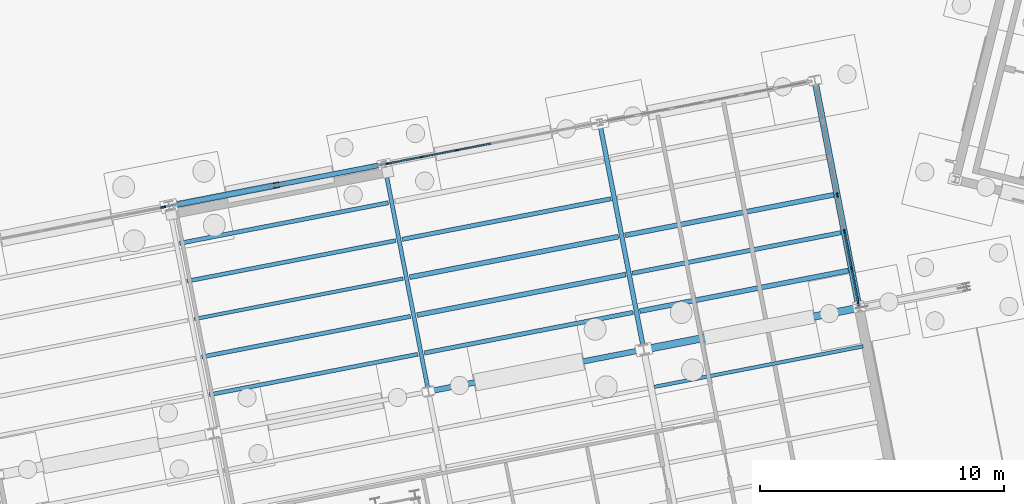
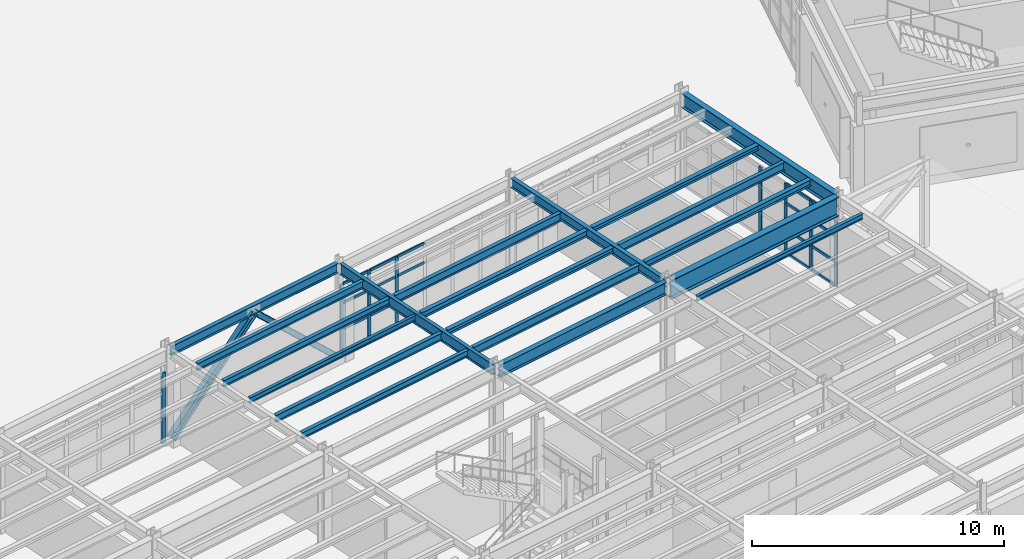
# One storey, part 37 of 108: 30 members, 19 beams, 3 elements without a shape of their own.
"""IFC4 building model written with IfcOpenShell, lengths in metres."""

from ifc_helpers import new_model, si_unit, direction, frame, origin, origin_2d, place, context, subcontext, project, spatial, rectangle, i_section, extrude, material, layer, layer_set, material_profile, profile_set, type_object, element, aggregate, save


model = new_model("IFC4")

# Units and contexts
model_context = context("Model", 3, precision=1e-05, world=origin(), true_north=direction((0.0, 1.0)))
body_context = subcontext(model_context, "Body", "Model", "MODEL_VIEW")
ifc_project = project(units=[si_unit("LENGTHUNIT", "METRE"), si_unit("AREAUNIT", "SQUARE_METRE"), si_unit("VOLUMEUNIT", "CUBIC_METRE"), si_unit("PLANEANGLEUNIT", "RADIAN"), si_unit("MASSUNIT", "GRAM", prefix="KILO")], contexts=[model_context])

# Site, building, storey
site_placement = place(None, origin())
site = spatial("IfcSite", under=ifc_project, at=site_placement, CompositionType="ELEMENT")
building_placement = place(site_placement, origin())
building = spatial("IfcBuilding", under=site, at=building_placement, Name="Vireo Bluff Cable Station", CompositionType="ELEMENT")
storey_placement = place(building_placement, origin())
storey = spatial("IfcBuildingStorey", under=building, at=storey_placement, Name="L00", CompositionType="ELEMENT", Elevation=0.0)

# Beam
ifc_material_1 = material(Name="Steel ASTM A992 Gr. 50", Category="steel")
ifc_material_profile_1 = material_profile(ifc_material_1, i_section(OverallWidth=0.166015625, OverallDepth=0.528076171875, WebThickness=0.009765625, FlangeThickness=0.013671875, FilletRadius=0.012939453125, at=origin_2d()), Name="W21X50")
ifc_profile_set_1 = profile_set([ifc_material_profile_1], Name="Steel ASTM A992 Gr. 50")
beam_type_1 = type_object("IfcBeamType", Name="BM-W21X50", PredefinedType="BEAM", material=ifc_profile_set_1)
beam_1_placement = place(storey_placement, frame((32.355712890625, 29.420654296875, 4.27587890625), z_axis=(-0.190804735679, 0.981628011439, 0.0), x_axis=(-0.981628011439, -0.190804735679, 0.0)))
element("IfcBeam", 1, at=beam_1_placement, inside=storey, type_object=beam_type_1, Name="V5 L00 beam 1117", PredefinedType="BEAM", context=body_context, shape_type="SweptSolid", body=[
    extrude(i_section(OverallWidth=0.166015625, OverallDepth=0.528076171875, WebThickness=0.009765625, FlangeThickness=0.013671875, FilletRadius=0.012939453125, at=origin_2d()), origin(), (0.0, 0.0, 1.0), 9.260009765625),
])

# Members
ifc_material_profile_2 = material_profile(ifc_material_1, i_section(OverallWidth=0.2041015625, OverallDepth=0.257080078125, WebThickness=0.0087890625, FlangeThickness=0.015625, FilletRadius=0.009033203125, at=origin_2d()), Name="W10X45")
ifc_profile_set_2 = profile_set([ifc_material_profile_2], Name="Steel ASTM A992 Gr. 50")
member_type_1 = type_object("IfcMemberType", Name="BRC-01", PredefinedType="BRACE", material=ifc_profile_set_2)
member_1_placement = place(storey_placement, frame((30.408935546875, 38.59765625, 0.0400390625), z_axis=(-0.710316412908, -0.138066200939, 0.690208894257), x_axis=(0.190801907041, -0.981628561254, 0.0)))
element("IfcMember", 2, at=member_1_placement, inside=storey, type_object=member_type_1, Name="V5 L00 concentric brace 90R", PredefinedType="BRACE", context=body_context, shape_type="SweptSolid", body=[
    extrude(i_section(OverallWidth=0.2041015625, OverallDepth=0.257080078125, WebThickness=0.0087890625, FlangeThickness=0.015625, FilletRadius=0.009033203125, at=origin_2d()), origin(), (0.0, 0.0, 1.0), 5.998046875),
])
ifc_material_profile_3 = material_profile(ifc_material_1, i_section(OverallWidth=0.25390625, OverallDepth=0.35302734375, WebThickness=0.009521484375, FlangeThickness=0.016357421875, FilletRadius=0.011962890625, at=origin_2d()), Name="W14X61")
ifc_profile_set_3 = profile_set([ifc_material_profile_3], Name="Steel ASTM A992 Gr. 50")
member_type_2 = type_object("IfcMemberType", Name="BRC-06", PredefinedType="BRACE", material=ifc_profile_set_3)
member_2_placement = place(storey_placement, frame((21.88818359375, 36.94140625, 0.0400390625), z_axis=(0.710296245471, 0.138070192816, 0.690228850111), x_axis=(-0.190812443151, 0.981626513262, 0.0)))
element("IfcMember", 3, at=member_2_placement, inside=storey, type_object=member_type_2, Name="V5 L00 concentric brace 89L", PredefinedType="BRACE", context=body_context, shape_type="SweptSolid", body=[
    extrude(i_section(OverallWidth=0.25390625, OverallDepth=0.35302734375, WebThickness=0.009521484375, FlangeThickness=0.016357421875, FilletRadius=0.011962890625, at=origin_2d()), origin(), (0.0, 0.0, 1.0), 5.997802734375),
])

# Curtain wall, members
ifc_material_2 = material(Name="Anodized Aluminium 6063-T6", Category="aluminium")
ifc_layer_1 = layer(ifc_material_2, 0.179931640625, Name="Anodized Aluminium 6063-T6")
ifc_layer_set_1 = layer_set([ifc_layer_1], Name="Anodized Aluminium 6063-T6")
curtain_wall_type_1 = type_object("IfcCurtainWallType", Name="CW-UNIT-1650", PredefinedType="USERDEFINED", material=ifc_layer_set_1)
curtain_wall_1_placement = place(storey_placement, origin())
curtain_wall_1 = element("IfcCurtainWall", 4, at=curtain_wall_1_placement, inside=storey, type_object=curtain_wall_type_1, Name="V5 L00 east curtain wall CW-116", ObjectType="UNITISED CURTAIN WALL", PredefinedType="USERDEFINED")
ifc_material_profile_4 = material_profile(ifc_material_2, rectangle(XDim=0.06494140625, YDim=0.179931640625, at=origin_2d()), Name="ALU-M-65X180")
ifc_profile_set_4 = profile_set([ifc_material_profile_4], Name="Anodized Aluminium 6063-T6")
member_type_3 = type_object("IfcMemberType", Name="CWM-01", PredefinedType="MULLION", material=ifc_profile_set_4)
member_3_placement = place(storey_placement, frame((49.148193359375, 37.365234375, 0.0), z_axis=(0.0, 0.0, 1.0), x_axis=(0.981627180714, 0.190809009442, 0.0)))
member_3 = element("IfcMember", 5, at=member_3_placement, type_object=member_type_3, Name="CW-116 mullion 4", PredefinedType="MULLION", context=body_context, shape_type="SweptSolid", body=[
    extrude(rectangle(XDim=0.06494140625, YDim=0.179931640625, at=origin_2d()), origin(), (0.0, 0.0, 1.0), 3.39990234375),
])
member_4_placement = place(storey_placement, frame((49.43994140625, 35.865234375, 0.0), z_axis=(0.0, 0.0, 1.0), x_axis=(0.981627180714, 0.190809009442, 0.0)))
member_4 = element("IfcMember", 6, at=member_4_placement, type_object=member_type_3, Name="CW-116 mullion 5", PredefinedType="MULLION", context=body_context, shape_type="SweptSolid", body=[
    extrude(rectangle(XDim=0.06494140625, YDim=0.179931640625, at=origin_2d()), origin(), (0.0, 0.0, 1.0), 3.39990234375),
])
member_5_placement = place(storey_placement, frame((49.7314453125, 34.365234375, 0.0), z_axis=(0.0, 0.0, 1.0), x_axis=(0.981627180714, 0.190809009442, 0.0)))
member_5 = element("IfcMember", 7, at=member_5_placement, type_object=member_type_3, Name="CW-116 mullion 6", PredefinedType="MULLION", context=body_context, shape_type="SweptSolid", body=[
    extrude(rectangle(XDim=0.06494140625, YDim=0.179931640625, at=origin_2d()), origin(), (0.0, 0.0, 1.0), 3.39990234375),
])
member_6_placement = place(storey_placement, frame((50.016845703125, 32.897216796875, 0.0), z_axis=(0.0, 0.0, 1.0), x_axis=(0.981627180714, 0.190809009442, 0.0)))
member_6 = element("IfcMember", 8, at=member_6_placement, type_object=member_type_3, Name="CW-116 mullion 7", PredefinedType="MULLION", context=body_context, shape_type="SweptSolid", body=[
    extrude(rectangle(XDim=0.06494140625, YDim=0.179931640625, at=origin_2d()), origin(), (0.0, 0.0, 1.0), 3.39990234375),
])

# Curtain wall, member
curtain_wall_2_placement = place(storey_placement, origin())
curtain_wall_2 = element("IfcCurtainWall", 9, at=curtain_wall_2_placement, inside=storey, type_object=curtain_wall_type_1, Name="V5 L00 north curtain wall CW-113", ObjectType="UNITISED CURTAIN WALL", PredefinedType="USERDEFINED")
ifc_material_profile_5 = material_profile(ifc_material_2, rectangle(XDim=0.074951171875, YDim=0.2099609375, at=origin_2d()), Name="ALU-M-75X210")
ifc_profile_set_5 = profile_set([ifc_material_profile_5], Name="Anodized Aluminium 6063-T6")
member_type_4 = type_object("IfcMemberType", Name="CWM-02", PredefinedType="MULLION", material=ifc_profile_set_5)
member_7_placement = place(storey_placement, frame((21.49560546875, 36.865234375, 0.0), z_axis=(0.0, 0.0, 1.0), x_axis=(-0.190808975057, 0.981627187397, 0.0)))
member_7 = element("IfcMember", 10, at=member_7_placement, type_object=member_type_4, Name="CW-113 mullion 6", PredefinedType="MULLION", context=body_context, shape_type="SweptSolid", body=[
    extrude(rectangle(XDim=0.074951171875, YDim=0.2099609375, at=origin_2d()), origin(), (0.0, 0.0, 1.0), 3.39990234375),
])
aggregate(curtain_wall_2, [member_7])

# Curtain wall, members
ifc_layer_2 = layer(ifc_material_2, 0.179931640625, Name="Anodized Aluminium 6063-T6")
ifc_layer_set_2 = layer_set([ifc_layer_2], Name="Anodized Aluminium 6063-T6")
curtain_wall_type_2 = type_object("IfcCurtainWallType", Name="CW-UNIT-1400", PredefinedType="USERDEFINED", material=ifc_layer_set_2)
curtain_wall_3_placement = place(storey_placement, origin())
curtain_wall_3 = element("IfcCurtainWall", 11, at=curtain_wall_3_placement, inside=storey, type_object=curtain_wall_type_2, Name="V5 L00 north curtain wall CW-114", ObjectType="UNITISED CURTAIN WALL", PredefinedType="USERDEFINED")
ifc_material_profile_6 = material_profile(ifc_material_2, rectangle(XDim=0.06005859375, YDim=0.159912109375, at=origin_2d()), Name="ALU-M-60X160")
ifc_profile_set_6 = profile_set([ifc_material_profile_6], Name="Anodized Aluminium 6063-T6")
member_type_5 = type_object("IfcMemberType", Name="CWM-03", PredefinedType="MULLION", material=ifc_profile_set_6)
member_8_placement = place(storey_placement, frame((30.697509765625, 38.65380859375, 0.0), z_axis=(0.0, 0.0, 1.0), x_axis=(-0.190808969643, 0.98162718845, 0.0)))
member_8 = element("IfcMember", 12, at=member_8_placement, type_object=member_type_5, Name="CW-114 mullion 1", PredefinedType="MULLION", context=body_context, shape_type="SweptSolid", body=[
    extrude(rectangle(XDim=0.06005859375, YDim=0.159912109375, at=origin_2d()), origin(), (0.0, 0.0, 1.0), 3.39990234375),
])
member_9_placement = place(storey_placement, frame((32.10205078125, 38.9267578125, 0.0), z_axis=(0.0, 0.0, 1.0), x_axis=(-0.190808969643, 0.98162718845, 0.0)))
member_9 = element("IfcMember", 13, at=member_9_placement, type_object=member_type_5, Name="CW-114 mullion 2", PredefinedType="MULLION", context=body_context, shape_type="SweptSolid", body=[
    extrude(rectangle(XDim=0.06005859375, YDim=0.159912109375, at=origin_2d()), origin(), (0.0, 0.0, 1.0), 3.39990234375),
])
member_10_placement = place(storey_placement, frame((33.5361328125, 39.20556640625, 0.0), z_axis=(0.0, 0.0, 1.0), x_axis=(-0.190808969643, 0.98162718845, 0.0)))
member_10 = element("IfcMember", 14, at=member_10_placement, type_object=member_type_5, Name="CW-114 mullion 3", PredefinedType="MULLION", context=body_context, shape_type="SweptSolid", body=[
    extrude(rectangle(XDim=0.06005859375, YDim=0.159912109375, at=origin_2d()), origin(), (0.0, 0.0, 1.0), 3.39990234375),
])

# Member
ifc_material_profile_7 = material_profile(ifc_material_2, rectangle(XDim=0.06494140625, YDim=0.139892578125, at=origin_2d()), Name="ALU-T-65X140")
ifc_profile_set_7 = profile_set([ifc_material_profile_7], Name="Anodized Aluminium 6063-T6")
member_type_6 = type_object("IfcMemberType", Name="CWT-01", PredefinedType="USERDEFINED", material=ifc_profile_set_7)
member_11_placement = place(storey_placement, frame((49.446044921875, 35.833251953125, 0.032470703125), z_axis=(0.190753518283, -0.981637965475, 0.0), x_axis=(0.981637965475, 0.190753518283, 0.0)))
member_11 = element("IfcMember", 15, at=member_11_placement, type_object=member_type_6, Name="CW-116 transom 5.1", ObjectType="TRANSOM", PredefinedType="USERDEFINED", context=body_context, shape_type="SweptSolid", body=[
    extrude(rectangle(XDim=0.06494140625, YDim=0.139892578125, at=origin_2d()), origin(), (0.0, 0.0, 1.0), 1.462890625),
])

member_12_placement = place(storey_placement, frame((49.446044921875, 35.833251953125, 1.18994140625), z_axis=(0.190753518283, -0.981637965475, 0.0), x_axis=(0.981637965475, 0.190753518283, 0.0)))
member_12 = element("IfcMember", 16, at=member_12_placement, type_object=member_type_6, Name="CW-116 transom 5.2", ObjectType="TRANSOM", PredefinedType="USERDEFINED", context=body_context, shape_type="SweptSolid", body=[
    extrude(rectangle(XDim=0.06494140625, YDim=0.139892578125, at=origin_2d()), origin(), (0.0, 0.0, 1.0), 1.462890625),
])

member_13_placement = place(storey_placement, frame((49.446044921875, 35.833251953125, 2.447998046875), z_axis=(0.190753518283, -0.981637965475, 0.0), x_axis=(0.981637965475, 0.190753518283, 0.0)))
member_13 = element("IfcMember", 17, at=member_13_placement, type_object=member_type_6, Name="CW-116 transom 5.3", ObjectType="TRANSOM", PredefinedType="USERDEFINED", context=body_context, shape_type="SweptSolid", body=[
    extrude(rectangle(XDim=0.06494140625, YDim=0.139892578125, at=origin_2d()), origin(), (0.0, 0.0, 1.0), 1.462890625),
])

member_14_placement = place(storey_placement, frame((49.446044921875, 35.833251953125, 3.367431640625), z_axis=(0.190753518283, -0.981637965475, 0.0), x_axis=(0.981637965475, 0.190753518283, 0.0)))
member_14 = element("IfcMember", 18, at=member_14_placement, type_object=member_type_6, Name="CW-116 transom 5.4", ObjectType="TRANSOM", PredefinedType="USERDEFINED", context=body_context, shape_type="SweptSolid", body=[
    extrude(rectangle(XDim=0.06494140625, YDim=0.139892578125, at=origin_2d()), origin(), (0.0, 0.0, 1.0), 1.462890625),
])

member_15_placement = place(storey_placement, frame((49.737548828125, 34.33349609375, 0.032470703125), z_axis=(0.190796573453, -0.981629597943, 0.0), x_axis=(0.981629597943, 0.190796573453, 0.0)))
member_15 = element("IfcMember", 19, at=member_15_placement, type_object=member_type_6, Name="CW-116 transom 6.1", ObjectType="TRANSOM", PredefinedType="USERDEFINED", context=body_context, shape_type="SweptSolid", body=[
    extrude(rectangle(XDim=0.06494140625, YDim=0.139892578125, at=origin_2d()), origin(), (0.0, 0.0, 1.0), 1.4306640625),
])

member_16_placement = place(storey_placement, frame((49.737548828125, 34.33349609375, 1.18994140625), z_axis=(0.190796573453, -0.981629597943, 0.0), x_axis=(0.981629597943, 0.190796573453, 0.0)))
member_16 = element("IfcMember", 20, at=member_16_placement, type_object=member_type_6, Name="CW-116 transom 6.2", ObjectType="TRANSOM", PredefinedType="USERDEFINED", context=body_context, shape_type="SweptSolid", body=[
    extrude(rectangle(XDim=0.06494140625, YDim=0.139892578125, at=origin_2d()), origin(), (0.0, 0.0, 1.0), 1.4306640625),
])

member_17_placement = place(storey_placement, frame((49.737548828125, 34.33349609375, 2.447998046875), z_axis=(0.190796573453, -0.981629597943, 0.0), x_axis=(0.981629597943, 0.190796573453, 0.0)))
member_17 = element("IfcMember", 21, at=member_17_placement, type_object=member_type_6, Name="CW-116 transom 6.3", ObjectType="TRANSOM", PredefinedType="USERDEFINED", context=body_context, shape_type="SweptSolid", body=[
    extrude(rectangle(XDim=0.06494140625, YDim=0.139892578125, at=origin_2d()), origin(), (0.0, 0.0, 1.0), 1.4306640625),
])

member_18_placement = place(storey_placement, frame((49.737548828125, 34.33349609375, 3.367431640625), z_axis=(0.190796573453, -0.981629597943, 0.0), x_axis=(0.981629597943, 0.190796573453, 0.0)))
member_18 = element("IfcMember", 22, at=member_18_placement, type_object=member_type_6, Name="CW-116 transom 6.4", ObjectType="TRANSOM", PredefinedType="USERDEFINED", context=body_context, shape_type="SweptSolid", body=[
    extrude(rectangle(XDim=0.06494140625, YDim=0.139892578125, at=origin_2d()), origin(), (0.0, 0.0, 1.0), 1.4306640625),
])

aggregate(curtain_wall_1, [member_3, member_4, member_5, member_6, member_11, member_12, member_13, member_14, member_15, member_16, member_17, member_18])

ifc_material_profile_8 = material_profile(ifc_material_2, rectangle(XDim=0.06005859375, YDim=0.1201171875, at=origin_2d()), Name="ALU-T-60X120")
ifc_profile_set_8 = profile_set([ifc_material_profile_8], Name="Anodized Aluminium 6063-T6")
member_type_7 = type_object("IfcMemberType", Name="CWT-03", PredefinedType="USERDEFINED", material=ifc_profile_set_8)
member_19_placement = place(storey_placement, frame((30.726806640625, 38.659423828125, 0.030029296875), z_axis=(0.98160797421, 0.190907791791, 0.0), x_axis=(-0.190907791791, 0.98160797421, 0.0)))
member_19 = element("IfcMember", 23, at=member_19_placement, type_object=member_type_7, Name="CW-114 transom 1.1", ObjectType="TRANSOM", PredefinedType="USERDEFINED", context=body_context, shape_type="SweptSolid", body=[
    extrude(rectangle(XDim=0.06005859375, YDim=0.1201171875, at=origin_2d()), origin(), (0.0, 0.0, 1.0), 1.370849609375),
])

member_20_placement = place(storey_placement, frame((30.726806640625, 38.659423828125, 1.18994140625), z_axis=(0.98160797421, 0.190907791791, 0.0), x_axis=(-0.190907791791, 0.98160797421, 0.0)))
member_20 = element("IfcMember", 24, at=member_20_placement, type_object=member_type_7, Name="CW-114 transom 1.2", ObjectType="TRANSOM", PredefinedType="USERDEFINED", context=body_context, shape_type="SweptSolid", body=[
    extrude(rectangle(XDim=0.06005859375, YDim=0.1201171875, at=origin_2d()), origin(), (0.0, 0.0, 1.0), 1.370849609375),
])

member_21_placement = place(storey_placement, frame((30.726806640625, 38.659423828125, 2.447998046875), z_axis=(0.98160797421, 0.190907791791, 0.0), x_axis=(-0.190907791791, 0.98160797421, 0.0)))
member_21 = element("IfcMember", 25, at=member_21_placement, type_object=member_type_7, Name="CW-114 transom 1.3", ObjectType="TRANSOM", PredefinedType="USERDEFINED", context=body_context, shape_type="SweptSolid", body=[
    extrude(rectangle(XDim=0.06005859375, YDim=0.1201171875, at=origin_2d()), origin(), (0.0, 0.0, 1.0), 1.370849609375),
])

member_22_placement = place(storey_placement, frame((30.726806640625, 38.659423828125, 3.3701171875), z_axis=(0.98160797421, 0.190907791791, 0.0), x_axis=(-0.190907791791, 0.98160797421, 0.0)))
member_22 = element("IfcMember", 26, at=member_22_placement, type_object=member_type_7, Name="CW-114 transom 1.4", ObjectType="TRANSOM", PredefinedType="USERDEFINED", context=body_context, shape_type="SweptSolid", body=[
    extrude(rectangle(XDim=0.06005859375, YDim=0.1201171875, at=origin_2d()), origin(), (0.0, 0.0, 1.0), 1.370849609375),
])

member_23_placement = place(storey_placement, frame((32.131591796875, 38.9326171875, 0.030029296875), z_axis=(0.981619017899, 0.190850998686, 0.0), x_axis=(-0.190850998686, 0.981619017899, 0.0)))
member_23 = element("IfcMember", 27, at=member_23_placement, type_object=member_type_7, Name="CW-114 transom 2.1", ObjectType="TRANSOM", PredefinedType="USERDEFINED", context=body_context, shape_type="SweptSolid", body=[
    extrude(rectangle(XDim=0.06005859375, YDim=0.1201171875, at=origin_2d()), origin(), (0.0, 0.0, 1.0), 1.400634765625),
])

member_24_placement = place(storey_placement, frame((32.131591796875, 38.9326171875, 1.18994140625), z_axis=(0.981619017899, 0.190850998686, 0.0), x_axis=(-0.190850998686, 0.981619017899, 0.0)))
member_24 = element("IfcMember", 28, at=member_24_placement, type_object=member_type_7, Name="CW-114 transom 2.2", ObjectType="TRANSOM", PredefinedType="USERDEFINED", context=body_context, shape_type="SweptSolid", body=[
    extrude(rectangle(XDim=0.06005859375, YDim=0.1201171875, at=origin_2d()), origin(), (0.0, 0.0, 1.0), 1.400634765625),
])

member_25_placement = place(storey_placement, frame((32.131591796875, 38.9326171875, 2.447998046875), z_axis=(0.981619017899, 0.190850998686, 0.0), x_axis=(-0.190850998686, 0.981619017899, 0.0)))
member_25 = element("IfcMember", 29, at=member_25_placement, type_object=member_type_7, Name="CW-114 transom 2.3", ObjectType="TRANSOM", PredefinedType="USERDEFINED", context=body_context, shape_type="SweptSolid", body=[
    extrude(rectangle(XDim=0.06005859375, YDim=0.1201171875, at=origin_2d()), origin(), (0.0, 0.0, 1.0), 1.400634765625),
])

member_26_placement = place(storey_placement, frame((32.131591796875, 38.9326171875, 3.3701171875), z_axis=(0.981619017899, 0.190850998686, 0.0), x_axis=(-0.190850998686, 0.981619017899, 0.0)))
member_26 = element("IfcMember", 30, at=member_26_placement, type_object=member_type_7, Name="CW-114 transom 2.4", ObjectType="TRANSOM", PredefinedType="USERDEFINED", context=body_context, shape_type="SweptSolid", body=[
    extrude(rectangle(XDim=0.06005859375, YDim=0.1201171875, at=origin_2d()), origin(), (0.0, 0.0, 1.0), 1.400634765625),
])

member_27_placement = place(storey_placement, frame((33.565673828125, 39.211181640625, 0.030029296875), z_axis=(0.981619017899, 0.190850998686, 0.0), x_axis=(-0.190850998686, 0.981619017899, 0.0)))
member_27 = element("IfcMember", 31, at=member_27_placement, type_object=member_type_7, Name="CW-114 transom 3.1", ObjectType="TRANSOM", PredefinedType="USERDEFINED", context=body_context, shape_type="SweptSolid", body=[
    extrude(rectangle(XDim=0.06005859375, YDim=0.1201171875, at=origin_2d()), origin(), (0.0, 0.0, 1.0), 1.400634765625),
])

member_28_placement = place(storey_placement, frame((33.565673828125, 39.211181640625, 1.18994140625), z_axis=(0.981619017899, 0.190850998686, 0.0), x_axis=(-0.190850998686, 0.981619017899, 0.0)))
member_28 = element("IfcMember", 32, at=member_28_placement, type_object=member_type_7, Name="CW-114 transom 3.2", ObjectType="TRANSOM", PredefinedType="USERDEFINED", context=body_context, shape_type="SweptSolid", body=[
    extrude(rectangle(XDim=0.06005859375, YDim=0.1201171875, at=origin_2d()), origin(), (0.0, 0.0, 1.0), 1.400634765625),
])

member_29_placement = place(storey_placement, frame((33.565673828125, 39.211181640625, 2.447998046875), z_axis=(0.981619017899, 0.190850998686, 0.0), x_axis=(-0.190850998686, 0.981619017899, 0.0)))
member_29 = element("IfcMember", 33, at=member_29_placement, type_object=member_type_7, Name="CW-114 transom 3.3", ObjectType="TRANSOM", PredefinedType="USERDEFINED", context=body_context, shape_type="SweptSolid", body=[
    extrude(rectangle(XDim=0.06005859375, YDim=0.1201171875, at=origin_2d()), origin(), (0.0, 0.0, 1.0), 1.400634765625),
])

member_30_placement = place(storey_placement, frame((33.565673828125, 39.211181640625, 3.3701171875), z_axis=(0.981619017899, 0.190850998686, 0.0), x_axis=(-0.190850998686, 0.981619017899, 0.0)))
member_30 = element("IfcMember", 34, at=member_30_placement, type_object=member_type_7, Name="CW-114 transom 3.4", ObjectType="TRANSOM", PredefinedType="USERDEFINED", context=body_context, shape_type="SweptSolid", body=[
    extrude(rectangle(XDim=0.06005859375, YDim=0.1201171875, at=origin_2d()), origin(), (0.0, 0.0, 1.0), 1.400634765625),
])

aggregate(curtain_wall_3, [member_8, member_9, member_10, member_19, member_20, member_21, member_22, member_23, member_24, member_25, member_26, member_27, member_28, member_29, member_30])

# Beams
ifc_material_profile_9 = material_profile(ifc_material_1, i_section(OverallWidth=0.22802734375, OverallDepth=0.60693359375, WebThickness=0.01123046875, FlangeThickness=0.017333984375, FilletRadius=0.012939453125, at=origin_2d()), Name="W24X76")
ifc_profile_set_9 = profile_set([ifc_material_profile_9], Name="Steel ASTM A992 Gr. 50")
beam_type_2 = type_object("IfcBeamType", Name="GIR-W24X76", PredefinedType="USERDEFINED", material=ifc_profile_set_9)
beam_2_placement = place(storey_placement, frame((32.496337890625, 29.32568359375, 4.236572265625), z_axis=(0.981629601573, 0.190796554777, 0.0), x_axis=(-0.190796554777, 0.981629601573, 0.0)))
element("IfcBeam", 35, at=beam_2_placement, inside=storey, type_object=beam_type_2, Name="V5 L00 girder 1101", ObjectType="GIRDER", PredefinedType="USERDEFINED", context=body_context, shape_type="SweptSolid", body=[
    extrude(i_section(OverallWidth=0.22802734375, OverallDepth=0.60693359375, WebThickness=0.01123046875, FlangeThickness=0.017333984375, FilletRadius=0.012939453125, at=origin_2d()), origin(), (0.0, 0.0, 1.0), 8.760009765625),
])
ifc_material_profile_10 = material_profile(ifc_material_1, i_section(OverallWidth=0.306884765625, OverallDepth=0.927001953125, WebThickness=0.019287109375, FlangeThickness=0.031982421875, FilletRadius=0.02001953125, at=origin_2d()), Name="W36X194")
ifc_profile_set_10 = profile_set([ifc_material_profile_10], Name="Steel ASTM A992 Gr. 50")
beam_type_3 = type_object("IfcBeamType", Name="GIR-W36X194", PredefinedType="USERDEFINED", material=ifc_profile_set_10)
beam_3_placement = place(storey_placement, frame((41.3310546875, 31.04296875, 4.076416015625), z_axis=(0.981629601573, 0.190796554777, 0.0), x_axis=(-0.190796554777, 0.981629601573, 0.0)))
element("IfcBeam", 36, at=beam_3_placement, inside=storey, type_object=beam_type_3, Name="V5 L00 girder 1175", ObjectType="GIRDER", PredefinedType="USERDEFINED", context=body_context, shape_type="SweptSolid", body=[
    extrude(i_section(OverallWidth=0.306884765625, OverallDepth=0.927001953125, WebThickness=0.019287109375, FlangeThickness=0.031982421875, FilletRadius=0.02001953125, at=origin_2d()), origin(), (0.0, 0.0, 1.0), 8.760009765625),
])
ifc_material_profile_11 = material_profile(ifc_material_1, i_section(OverallWidth=0.14599609375, OverallDepth=0.259033203125, WebThickness=0.006103515625, FlangeThickness=0.009033203125, FilletRadius=0.009033203125, at=origin_2d()), Name="W10X22")
ifc_profile_set_11 = profile_set([ifc_material_profile_11], Name="Steel ASTM A992 Gr. 50")
beam_type_4 = type_object("IfcBeamType", Name="JST-W10X22", PredefinedType="JOIST", material=ifc_profile_set_11)
for number, where, z_axis, x_axis, name in (
    (37, (22.77490234375, 32.27490234375, 4.410400390625), (0.981628064538, 0.190804462503, 0.0), (-0.190804462503, 0.981628064538, 0.0), "V5 L00 composite joist 1155"),
    (38, (41.65283203125, 29.492431640625, 4.410400390625), (0.981628064538, 0.190804462503, 0.0), (-0.190804462503, 0.981628064538, 0.0), "V5 L00 composite joist 1189"),
):
    element("IfcBeam", number, at=place(storey_placement, frame(where, z_axis=z_axis, x_axis=x_axis)), inside=storey, type_object=beam_type_4, Name=name, PredefinedType="JOIST", context=body_context, shape_type="SweptSolid", body=[
        extrude(i_section(OverallWidth=0.14599609375, OverallDepth=0.259033203125, WebThickness=0.006103515625, FlangeThickness=0.009033203125, FilletRadius=0.009033203125, at=origin_2d()), origin(), (0.0, 0.0, 1.0), 8.719970703125),
    ])
ifc_material_profile_12 = material_profile(ifc_material_1, i_section(OverallWidth=0.201904296875, OverallDepth=0.2470703125, WebThickness=0.00732421875, FlangeThickness=0.010986328125, FilletRadius=0.009033203125, at=origin_2d()), Name="W10X33")
ifc_profile_set_12 = profile_set([ifc_material_profile_12], Name="Steel ASTM A992 Gr. 50")
beam_type_5 = type_object("IfcBeamType", Name="JST-W10X33", PredefinedType="JOIST", material=ifc_profile_set_12)
beam_4_placement = place(storey_placement, frame((31.911865234375, 32.43798828125, 4.41650390625), z_axis=(0.981627045201, 0.19080970659, 0.0), x_axis=(-0.19080970659, 0.981627045201, 0.0)))
element("IfcBeam", 39, at=beam_4_placement, inside=storey, type_object=beam_type_5, Name="V5 L00 composite joist 1169", PredefinedType="JOIST", context=body_context, shape_type="SweptSolid", body=[
    extrude(i_section(OverallWidth=0.201904296875, OverallDepth=0.2470703125, WebThickness=0.00732421875, FlangeThickness=0.010986328125, FilletRadius=0.009033203125, at=origin_2d()), origin(), (0.0, 0.0, 1.0), 8.7197265625),
])
beam_5_placement = place(storey_placement, frame((40.4443359375, 35.70947265625, 4.41650390625), z_axis=(0.981628064538, 0.190804462503, 0.0), x_axis=(-0.190804462503, 0.981628064538, 0.0)))
element("IfcBeam", 40, at=beam_5_placement, inside=storey, type_object=beam_type_5, Name="V5 L00 composite joist 1192", PredefinedType="JOIST", context=body_context, shape_type="SweptSolid", body=[
    extrude(i_section(OverallWidth=0.201904296875, OverallDepth=0.2470703125, WebThickness=0.00732421875, FlangeThickness=0.010986328125, FilletRadius=0.009033203125, at=origin_2d()), origin(), (0.0, 0.0, 1.0), 8.719970703125),
])
ifc_material_profile_13 = material_profile(ifc_material_1, i_section(OverallWidth=0.1650390625, OverallDepth=0.31005859375, WebThickness=0.005859375, FlangeThickness=0.009765625, FilletRadius=0.010009765625, at=origin_2d()), Name="W12X26")
ifc_profile_set_13 = profile_set([ifc_material_profile_13], Name="Steel ASTM A992 Gr. 50")
beam_type_6 = type_object("IfcBeamType", Name="JST-W12X26", PredefinedType="JOIST", material=ifc_profile_set_13)
for number, where, z_axis, x_axis, name in (
    (41, (23.379150390625, 29.16650390625, 4.385009765625), (0.981628064538, 0.190804462503, 0.0), (-0.190804462503, 0.981628064538, 0.0), "V5 L00 composite joist 1153"),
    (42, (22.472900390625, 33.8291015625, 4.385009765625), (0.981628064538, 0.190804462503, 0.0), (-0.190804462503, 0.981628064538, 0.0), "V5 L00 composite joist 1156"),
):
    element("IfcBeam", number, at=place(storey_placement, frame(where, z_axis=z_axis, x_axis=x_axis)), inside=storey, type_object=beam_type_6, Name=name, PredefinedType="JOIST", context=body_context, shape_type="SweptSolid", body=[
        extrude(i_section(OverallWidth=0.1650390625, OverallDepth=0.31005859375, WebThickness=0.005859375, FlangeThickness=0.009765625, FilletRadius=0.010009765625, at=origin_2d()), origin(), (0.0, 0.0, 1.0), 8.719970703125),
    ])
ifc_material_profile_14 = material_profile(ifc_material_1, i_section(OverallWidth=0.202880859375, OverallDepth=0.302978515625, WebThickness=0.007568359375, FlangeThickness=0.01318359375, FilletRadius=0.010009765625, at=origin_2d()), Name="W12X40")
ifc_profile_set_14 = profile_set([ifc_material_profile_14], Name="Steel ASTM A992 Gr. 50")
beam_type_7 = type_object("IfcBeamType", Name="JST-W12X40", PredefinedType="JOIST", material=ifc_profile_set_14)
for number, where, z_axis, x_axis, name in (
    (43, (31.609619140625, 33.9921875, 4.388427734375), (0.981628064538, 0.190804462503, 0.0), (-0.190804462503, 0.981628064538, 0.0), "V5 L00 composite joist 1170"),
    (44, (41.048583984375, 32.60107421875, 4.388427734375), (0.981628064538, 0.190804462503, 0.0), (-0.190804462503, 0.981628064538, 0.0), "V5 L00 composite joist 1190"),
):
    element("IfcBeam", number, at=place(storey_placement, frame(where, z_axis=z_axis, x_axis=x_axis)), inside=storey, type_object=beam_type_7, Name=name, PredefinedType="JOIST", context=body_context, shape_type="SweptSolid", body=[
        extrude(i_section(OverallWidth=0.202880859375, OverallDepth=0.302978515625, WebThickness=0.007568359375, FlangeThickness=0.01318359375, FilletRadius=0.010009765625, at=origin_2d()), origin(), (0.0, 0.0, 1.0), 8.719970703125),
    ])
ifc_material_profile_15 = material_profile(ifc_material_1, i_section(OverallWidth=0.1708984375, OverallDepth=0.35107421875, WebThickness=0.0068359375, FlangeThickness=0.009765625, FilletRadius=0.010009765625, at=origin_2d()), Name="W14X30")
ifc_profile_set_15 = profile_set([ifc_material_profile_15], Name="Steel ASTM A992 Gr. 50")
beam_type_8 = type_object("IfcBeamType", Name="JST-W14X30", PredefinedType="JOIST", material=ifc_profile_set_15)
for number, where, z_axis, x_axis, name in (
    (45, (23.0771484375, 30.720703125, 4.364501953125), (0.981628064538, 0.190804462503, 0.0), (-0.190804462503, 0.981628064538, 0.0), "V5 L00 composite joist 1154"),
    (46, (22.170654296875, 35.38330078125, 4.364501953125), (0.98162282025, 0.190831440713, 0.0), (-0.190831440713, 0.98162282025, 0.0), "V5 L00 composite joist 1157"),
):
    element("IfcBeam", number, at=place(storey_placement, frame(where, z_axis=z_axis, x_axis=x_axis)), inside=storey, type_object=beam_type_8, Name=name, PredefinedType="JOIST", context=body_context, shape_type="SweptSolid", body=[
        extrude(i_section(OverallWidth=0.1708984375, OverallDepth=0.35107421875, WebThickness=0.0068359375, FlangeThickness=0.009765625, FilletRadius=0.010009765625, at=origin_2d()), origin(), (0.0, 0.0, 1.0), 8.719970703125),
    ])
ifc_material_profile_16 = material_profile(ifc_material_1, i_section(OverallWidth=0.177978515625, OverallDepth=0.404052734375, WebThickness=0.007568359375, FlangeThickness=0.010986328125, FilletRadius=0.010009765625, at=origin_2d()), Name="W16X36")
ifc_profile_set_16 = profile_set([ifc_material_profile_16], Name="Steel ASTM A992 Gr. 50")
beam_type_9 = type_object("IfcBeamType", Name="JST-W16X36", PredefinedType="JOIST", material=ifc_profile_set_16)
for number, where, z_axis, x_axis, name in (
    (47, (32.2138671875, 30.8837890625, 4.337890625), (0.981628064538, 0.190804462503, 0.0), (-0.190804462503, 0.981628064538, 0.0), "V5 L00 composite joist 1168"),
    (48, (31.3076171875, 35.54638671875, 4.337890625), (0.981628064538, 0.190804462503, 0.0), (-0.190804462503, 0.981628064538, 0.0), "V5 L00 composite joist 1171"),
    (49, (40.746337890625, 34.1552734375, 4.337890625), (0.981628064538, 0.190804462503, 0.0), (-0.190804462503, 0.981628064538, 0.0), "V5 L00 composite joist 1191"),
):
    element("IfcBeam", number, at=place(storey_placement, frame(where, z_axis=z_axis, x_axis=x_axis)), inside=storey, type_object=beam_type_9, Name=name, PredefinedType="JOIST", context=body_context, shape_type="SweptSolid", body=[
        extrude(i_section(OverallWidth=0.177978515625, OverallDepth=0.404052734375, WebThickness=0.007568359375, FlangeThickness=0.010986328125, FilletRadius=0.010009765625, at=origin_2d()), origin(), (0.0, 0.0, 1.0), 8.719970703125),
    ])
ifc_material_profile_17 = material_profile(ifc_material_1, i_section(OverallWidth=0.19091796875, OverallDepth=0.45703125, WebThickness=0.009033203125, FlangeThickness=0.014404296875, FilletRadius=0.011962890625, at=origin_2d()), Name="W18X50")
ifc_profile_set_17 = profile_set([ifc_material_profile_17], Name="Steel ASTM A992 Gr. 50")
beam_type_10 = type_object("IfcBeamType", Name="SPN-W18X50", PredefinedType="SPANDREL", material=ifc_profile_set_17)
beam_6_placement = place(storey_placement, frame((21.84912109375, 36.933837890625, 4.3115234375), z_axis=(0.981628586979, 0.190801774693, 0.0), x_axis=(-0.190801774693, 0.981628586979, 0.0)))
element("IfcBeam", 50, at=beam_6_placement, inside=storey, type_object=beam_type_10, Name="V5 L00 spandrel 1104", PredefinedType="SPANDREL", context=body_context, shape_type="SweptSolid", body=[
    extrude(i_section(OverallWidth=0.19091796875, OverallDepth=0.45703125, WebThickness=0.009033203125, FlangeThickness=0.014404296875, FilletRadius=0.011962890625, at=origin_2d()), origin(), (0.0, 0.0, 1.0), 8.759765625),
])
beam_7_placement = place(storey_placement, frame((41.1904296875, 31.137939453125, 4.3115234375), z_axis=(-0.190830140795, 0.981623072958, 0.0), x_axis=(-0.981623072958, -0.190830140795, 0.0)))
element("IfcBeam", 51, at=beam_7_placement, inside=storey, type_object=beam_type_10, Name="V5 L00 spandrel 1120", PredefinedType="SPANDREL", context=body_context, shape_type="SweptSolid", body=[
    extrude(i_section(OverallWidth=0.19091796875, OverallDepth=0.45703125, WebThickness=0.009033203125, FlangeThickness=0.014404296875, FilletRadius=0.011962890625, at=origin_2d()), origin(), (0.0, 0.0, 1.0), 9.260009765625),
])
ifc_material_profile_18 = material_profile(ifc_material_1, i_section(OverallWidth=0.257080078125, OverallDepth=0.693115234375, WebThickness=0.014404296875, FlangeThickness=0.023681640625, FilletRadius=0.014892578125, at=origin_2d()), Name="W27X114")
ifc_profile_set_18 = profile_set([ifc_material_profile_18], Name="Steel ASTM A992 Gr. 50")
beam_type_11 = type_object("IfcBeamType", Name="SPN-W27X114", PredefinedType="SPANDREL", material=ifc_profile_set_18)
beam_8_placement = place(storey_placement, frame((50.02490234375, 32.855224609375, 4.193603515625), z_axis=(-0.190804735679, 0.981628011439, 0.0), x_axis=(-0.981628011439, -0.190804735679, 0.0)))
element("IfcBeam", 52, at=beam_8_placement, inside=storey, type_object=beam_type_11, Name="V5 L00 spandrel 1179", PredefinedType="SPANDREL", context=body_context, shape_type="SweptSolid", body=[
    extrude(i_section(OverallWidth=0.257080078125, OverallDepth=0.693115234375, WebThickness=0.014404296875, FlangeThickness=0.023681640625, FilletRadius=0.014892578125, at=origin_2d()), origin(), (0.0, 0.0, 1.0), 9.260009765625),
])

save(model, "model.ifc")
